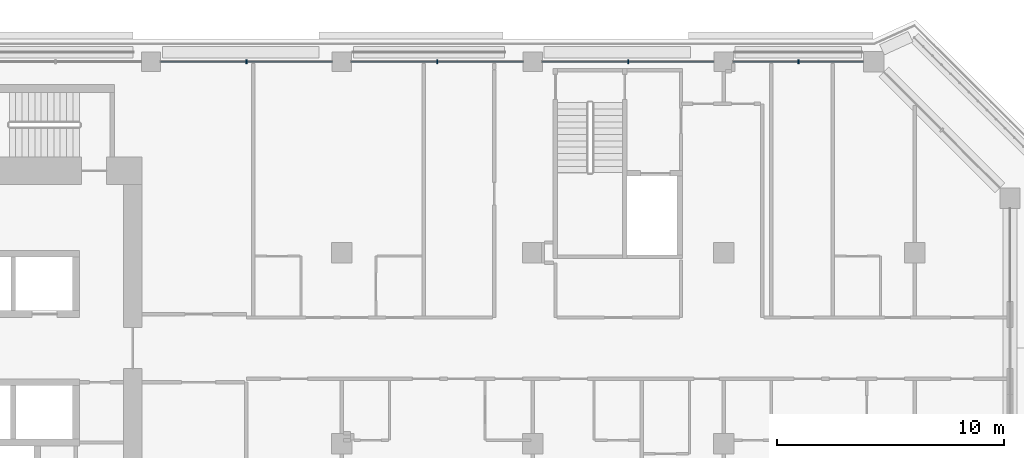
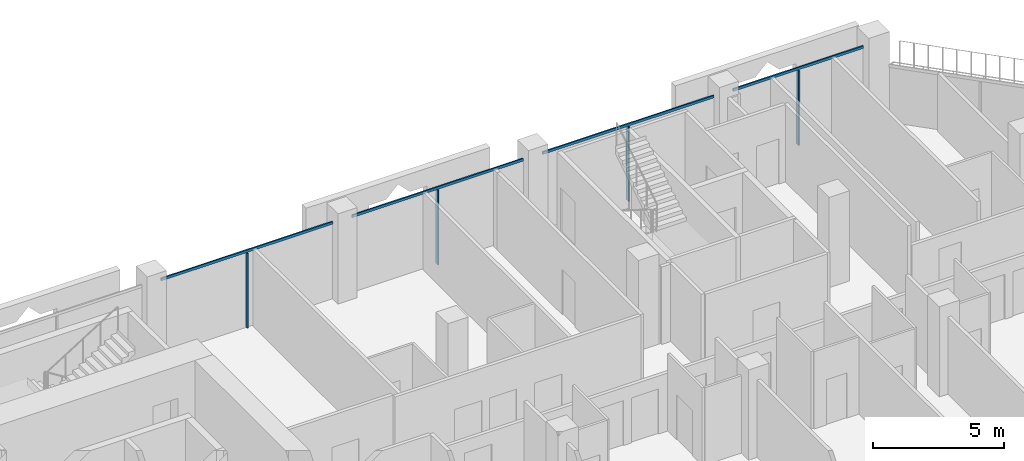
# One storey, part 6 of 23: 8 members, 1 element without a shape of its own.
"""IFC4 building model written with IfcOpenShell, lengths in metres."""

from ifc_helpers import new_model, si_unit, direction, frame, origin, origin_2d, place, context, subcontext, project, spatial, rectangle, extrude, material, layer, layer_set, material_profile, profile_set, type_object, element, aggregate, save


model = new_model("IFC4")

# Units and contexts
model_context = context("Model", 3, precision=1e-05, world=origin(), true_north=direction((0.0, 1.0)))
body_context = subcontext(model_context, "Body", "Model", "MODEL_VIEW")
ifc_project = project(units=[si_unit("LENGTHUNIT", "METRE"), si_unit("AREAUNIT", "SQUARE_METRE"), si_unit("VOLUMEUNIT", "CUBIC_METRE"), si_unit("PLANEANGLEUNIT", "RADIAN"), si_unit("MASSUNIT", "GRAM", prefix="KILO")], contexts=[model_context])

# Site, building, storey
site_placement = place(None, origin())
site = spatial("IfcSite", under=ifc_project, at=site_placement, CompositionType="ELEMENT")
building_placement = place(site_placement, origin())
building = spatial("IfcBuilding", under=site, at=building_placement, Name="Kawkab Arch Medical Tower", CompositionType="ELEMENT")
storey_placement = place(building_placement, frame((0.0, 0.0, 247.39990234375)))
storey = spatial("IfcBuildingStorey", under=building, at=storey_placement, Name="L57", CompositionType="ELEMENT", Elevation=247.39990234375)

# Curtain wall, members
ifc_material_1 = material(Name="Bronze anodised aluminium curtain wall frame", Category="aluminium")
ifc_layer = layer(ifc_material_1, 0.159912109375)
ifc_layer_set = layer_set([ifc_layer], Name="Bronze anodised aluminium curtain wall frame")
curtain_wall_type = type_object("IfcCurtainWallType", Name="CW1 ward curtain wall", PredefinedType="NOTDEFINED", material=ifc_layer_set)
curtain_wall_placement = place(storey_placement, origin())
curtain_wall = element("IfcCurtainWall", 1, at=curtain_wall_placement, inside=storey, type_object=curtain_wall_type, Name="CW1 Ward curtain wall R11", PredefinedType="NOTDEFINED")
ifc_material_2 = material(Name="Bronze anodised aluminium curtain wall frame", Category="aluminium")
ifc_material_profile_1 = material_profile(ifc_material_2, rectangle(XDim=0.179931640625, YDim=0.06005859375, at=origin_2d()), Name="AL 60x180")
ifc_profile_set_1 = profile_set([ifc_material_profile_1], Name="Bronze anodised aluminium curtain wall frame")
member_type_1 = type_object("IfcMemberType", Name="CW1 mullion 60 x 180", PredefinedType="MULLION", material=ifc_profile_set_1)
member_1_placement = place(storey_placement, frame((53.6875, 0.0, 0.0), z_axis=(0.0, 0.0, 1.0), x_axis=(0.0, -1.0, 0.0)))
member_1 = element("IfcMember", 2, at=member_1_placement, type_object=member_type_1, Name="CW1 mullion 1.1", PredefinedType="MULLION", context=body_context, shape_type="SweptSolid", body=[
    extrude(rectangle(XDim=0.179931640625, YDim=0.06005859375, at=origin_2d()), origin(), (0.0, 0.0, 1.0), 3.47998046875),
])
member_2_placement = place(storey_placement, frame((46.199951171875, 0.0, 0.0), z_axis=(0.0, 0.0, 1.0), x_axis=(0.0, -1.0, 0.0)))
member_2 = element("IfcMember", 3, at=member_2_placement, type_object=member_type_1, Name="CW1 mullion 2.1", PredefinedType="MULLION", context=body_context, shape_type="SweptSolid", body=[
    extrude(rectangle(XDim=0.179931640625, YDim=0.06005859375, at=origin_2d()), origin(), (0.0, 0.0, 1.0), 3.47998046875),
])
member_3_placement = place(storey_placement, frame((37.800048828125, 0.0, 0.0), z_axis=(0.0, 0.0, 1.0), x_axis=(0.0, -1.0, 0.0)))
member_3 = element("IfcMember", 4, at=member_3_placement, type_object=member_type_1, Name="CW1 mullion 3.1", PredefinedType="MULLION", context=body_context, shape_type="SweptSolid", body=[
    extrude(rectangle(XDim=0.179931640625, YDim=0.06005859375, at=origin_2d()), origin(), (0.0, 0.0, 1.0), 3.47998046875),
])
member_4_placement = place(storey_placement, frame((29.39990234375, 0.0, 0.0), z_axis=(0.0, 0.0, 1.0), x_axis=(0.0, -1.0, 0.0)))
member_4 = element("IfcMember", 5, at=member_4_placement, type_object=member_type_1, Name="CW1 mullion 4.1", PredefinedType="MULLION", context=body_context, shape_type="SweptSolid", body=[
    extrude(rectangle(XDim=0.179931640625, YDim=0.06005859375, at=origin_2d()), origin(), (0.0, 0.0, 1.0), 3.47998046875),
])
ifc_material_3 = material(Name="Bronze anodised aluminium curtain wall frame", Category="aluminium")
ifc_material_profile_2 = material_profile(ifc_material_3, rectangle(XDim=0.06005859375, YDim=0.1201171875, at=origin_2d()), Name="AL 60x120")
ifc_profile_set_2 = profile_set([ifc_material_profile_2], Name="Bronze anodised aluminium curtain wall frame")
member_type_2 = type_object("IfcMemberType", Name="CW1 transom 120 x 60", PredefinedType="USERDEFINED", material=ifc_profile_set_2)
member_5_placement = place(storey_placement, frame((56.550048828125, 0.0, 3.5400390625), z_axis=(-1.0, 0.0, 0.0), x_axis=(0.0, -1.0, 0.0)))
member_5 = element("IfcMember", 6, at=member_5_placement, type_object=member_type_2, Name="CW1 transom 1", ObjectType="TRANSOM", PredefinedType="USERDEFINED", context=body_context, shape_type="SweptSolid", body=[
    extrude(rectangle(XDim=0.06005859375, YDim=0.1201171875, at=origin_2d()), origin(), (0.0, 0.0, 1.0), 5.72509765625),
])
member_6_placement = place(storey_placement, frame((49.97509765625, 0.0, 3.5400390625), z_axis=(-1.0, 0.0, 0.0), x_axis=(0.0, -1.0, 0.0)))
member_6 = element("IfcMember", 7, at=member_6_placement, type_object=member_type_2, Name="CW1 transom 2", ObjectType="TRANSOM", PredefinedType="USERDEFINED", context=body_context, shape_type="SweptSolid", body=[
    extrude(rectangle(XDim=0.06005859375, YDim=0.1201171875, at=origin_2d()), origin(), (0.0, 0.0, 1.0), 7.550048828125),
])
member_7_placement = place(storey_placement, frame((41.574951171875, 0.0, 3.5400390625), z_axis=(-1.0, 0.0, 0.0), x_axis=(0.0, -1.0, 0.0)))
member_7 = element("IfcMember", 8, at=member_7_placement, type_object=member_type_2, Name="CW1 transom 3", ObjectType="TRANSOM", PredefinedType="USERDEFINED", context=body_context, shape_type="SweptSolid", body=[
    extrude(rectangle(XDim=0.06005859375, YDim=0.1201171875, at=origin_2d()), origin(), (0.0, 0.0, 1.0), 7.550048828125),
])
member_8_placement = place(storey_placement, frame((33.175048828125, 0.0, 3.5400390625), z_axis=(-1.0, 0.0, 0.0), x_axis=(0.0, -1.0, 0.0)))
member_8 = element("IfcMember", 9, at=member_8_placement, type_object=member_type_2, Name="CW1 transom 4", ObjectType="TRANSOM", PredefinedType="USERDEFINED", context=body_context, shape_type="SweptSolid", body=[
    extrude(rectangle(XDim=0.06005859375, YDim=0.1201171875, at=origin_2d()), origin(), (0.0, 0.0, 1.0), 7.550048828125),
])
aggregate(curtain_wall, [member_5, member_1, member_6, member_2, member_7, member_3, member_8, member_4])

save(model, "model.ifc")
